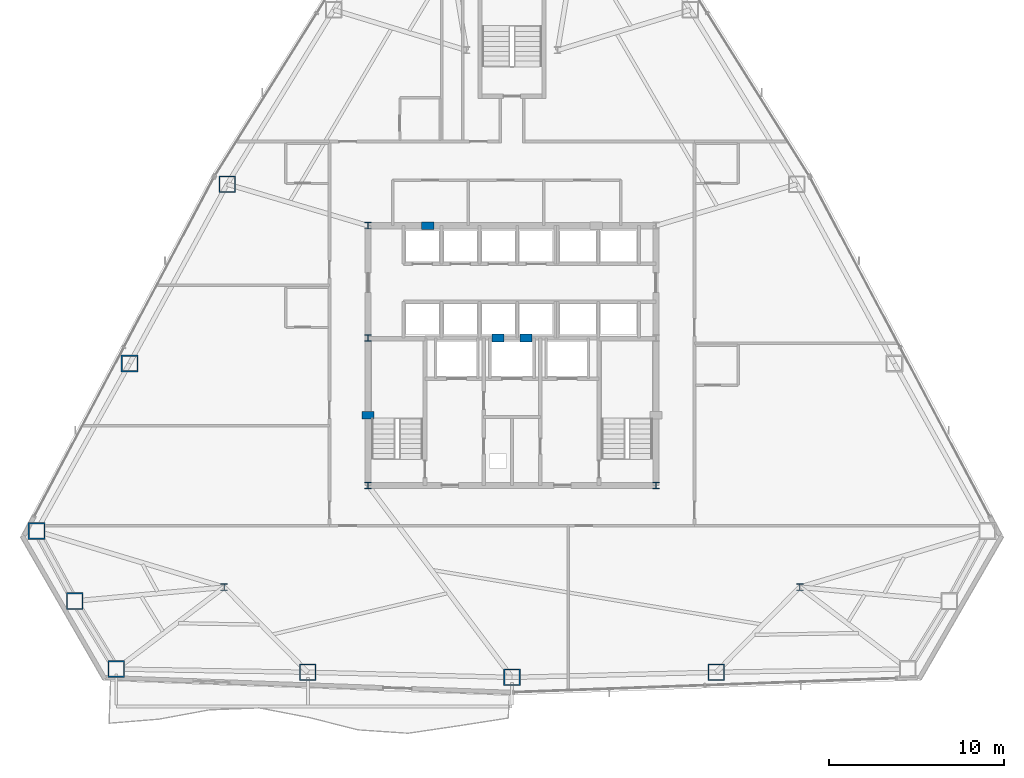
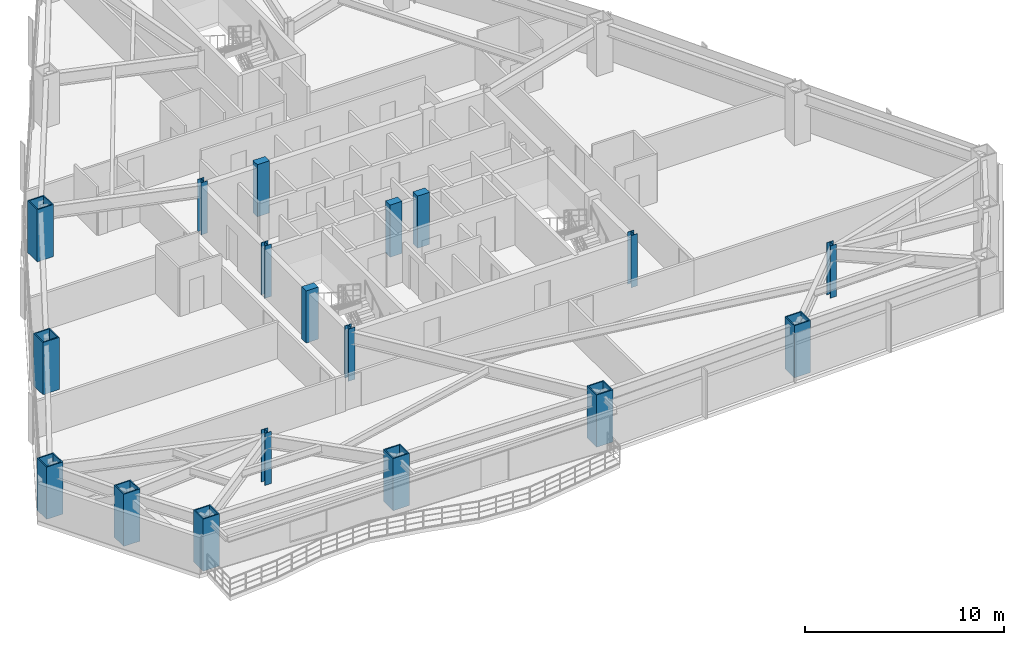
# One storey, part 1 of 13: 18 columns.
"""IFC4 building model written with IfcOpenShell, lengths in metres."""

from ifc_helpers import new_model, si_unit, direction, frame, origin, origin_2d, place, context, subcontext, project, spatial, rectangle, hollow_rectangle, i_section, extrude, material, material_profile, profile_set, type_object, element, save


model = new_model("IFC4")

# Units and contexts
model_context = context("Model", 3, precision=1e-05, world=origin(), true_north=direction((0.0, 1.0)))
body_context = subcontext(model_context, "Body", "Model", "MODEL_VIEW")
ifc_project = project(units=[si_unit("LENGTHUNIT", "METRE"), si_unit("AREAUNIT", "SQUARE_METRE"), si_unit("VOLUMEUNIT", "CUBIC_METRE"), si_unit("PLANEANGLEUNIT", "RADIAN"), si_unit("MASSUNIT", "GRAM", prefix="KILO")], contexts=[model_context])

# Site, building, storey
site_placement = place(None, origin())
site = spatial("IfcSite", under=ifc_project, at=site_placement, CompositionType="ELEMENT")
building_placement = place(site_placement, origin())
building = spatial("IfcBuilding", under=site, at=building_placement, Name="Varakhsha Concourse Tower", CompositionType="ELEMENT")
storey_placement = place(building_placement, frame((0.0, 0.0, 99.0)))
storey = spatial("IfcBuildingStorey", under=building, at=storey_placement, Name="L28", CompositionType="ELEMENT", Elevation=99.0)

# Columns
ifc_material_1 = material(Name="Structural Steel ASTM A992 Grade 50", Category="steel")
ifc_material_profile_1 = material_profile(ifc_material_1, i_section(OverallWidth=0.3740234375, OverallDepth=0.3720703125, WebThickness=0.01611328125, FlangeThickness=0.02587890625, at=origin_2d()), Name="W14X132")
ifc_profile_set_1 = profile_set([ifc_material_profile_1], Name="Structural Steel ASTM A992 Grade 50")
column_type_1 = type_object("IfcColumnType", Name="CL-CORE-W14X132", PredefinedType="COLUMN", material=ifc_profile_set_1)
for number, where, z_axis, x_axis, name in (
    (1, (31.800048828125, 16.39990234375, 0.0), (0.0, 0.0, 1.0), (1.0, 0.0, 0.0), "L28 Core Column CC-SW"),
    (2, (48.199951171875, 16.39990234375, 0.0), (0.0, 0.0, 1.0), (1.0, 0.0, 0.0), "L28 Core Column CC-SE"),
    (3, (31.800048828125, 24.800048828125, 0.0), (0.0, 0.0, 1.0), (1.0, 0.0, 0.0), "L28 Core Column CC-MW"),
    (4, (31.800048828125, 31.199951171875, 0.0), (0.0, 0.0, 1.0), (1.0, 0.0, 0.0), "L28 Core Column CC-NW"),
    (5, (23.60009765625, 10.60009765625, 0.0), (0.0, 0.0, 1.0), (1.0, 0.0, 0.0), "L28 Core Column SS-W"),
    (6, (56.39990234375, 10.60009765625, 0.0), (0.0, 0.0, 1.0), (1.0, 0.0, 0.0), "L28 Core Column SS-E"),
):
    element("IfcColumn", number, at=place(storey_placement, frame(where, z_axis=z_axis, x_axis=x_axis)), inside=storey, type_object=column_type_1, Name=name, PredefinedType="COLUMN", context=body_context, shape_type="SweptSolid", body=[
        extrude(i_section(OverallWidth=0.3740234375, OverallDepth=0.3720703125, WebThickness=0.01611328125, FlangeThickness=0.02587890625, at=origin_2d()), origin(), (0.0, 0.0, 1.0), 3.199951171875),
    ])
ifc_material_2 = material(Name="Concrete fc 65 MPa", Category="concrete")
ifc_material_profile_2 = material_profile(ifc_material_2, rectangle(XDim=0.699951171875, YDim=0.449951171875, at=origin_2d()), Name="RC 700x450")
ifc_profile_set_2 = profile_set([ifc_material_profile_2], Name="Concrete fc 65 MPa")
column_type_2 = type_object("IfcColumnType", Name="CL-PIL-700X450", PredefinedType="PILASTER", material=ifc_profile_set_2)
for number, where, z_axis, x_axis, name in (
    (7, (31.800048828125, 20.39990234375, 0.0), (0.0, 0.0, 1.0), (1.0, 0.0, 0.0), "L28 Core Boundary Pilaster PIL-W1"),
    (8, (35.199951171875, 31.199951171875, 0.0), (0.0, 0.0, 1.0), (1.0, 0.0, 0.0), "L28 Core Boundary Pilaster PIL-N1"),
    (9, (39.199951171875, 24.800048828125, 0.0), (0.0, 0.0, 1.0), (1.0, 0.0, 0.0), "L28 Core Boundary Pilaster PIL-M1"),
    (10, (40.800048828125, 24.800048828125, 0.0), (0.0, 0.0, 1.0), (1.0, 0.0, 0.0), "L28 Core Boundary Pilaster PIL-M2"),
):
    element("IfcColumn", number, at=place(storey_placement, frame(where, z_axis=z_axis, x_axis=x_axis)), inside=storey, type_object=column_type_2, Name=name, PredefinedType="PILASTER", context=body_context, shape_type="SweptSolid", body=[
        extrude(rectangle(XDim=0.699951171875, YDim=0.449951171875, at=origin_2d()), origin(), (0.0, 0.0, 1.0), 3.199951171875),
    ])
ifc_material_3 = material(Name="Structural Steel ASTM A572 Grade 50", Category="steel")
ifc_material_profile_3 = material_profile(ifc_material_3, hollow_rectangle(XDim=0.949951171875, YDim=0.949951171875, WallThickness=0.06494140625, at=origin_2d()), Name="BOX 950x950x65")
ifc_profile_set_3 = profile_set([ifc_material_profile_3], Name="Structural Steel ASTM A572 Grade 50")
column_type_3 = type_object("IfcColumnType", Name="CL-TUBE-950", PredefinedType="COLUMN", material=ifc_profile_set_3)
for number, where, z_axis, x_axis, name in (
    (11, (23.77197265625, 33.569091796875, 0.0), (0.0, 0.0, 1.0), (1.0, 0.0, 0.0), "L28 Framed-Tube Column TC05"),
    (12, (18.20751953125, 23.345947265625, 0.0), (0.0, 0.0, 1.0), (1.0, 0.0, 0.0), "L28 Framed-Tube Column TC06"),
    (13, (12.908935546875, 13.80322265625, 0.0), (0.0, 0.0, 1.0), (1.0, 0.0, 0.0), "L28 Framed-Tube Column TC07"),
    (14, (15.076416015625, 9.810302734375, 0.0), (0.0, 0.0, 1.0), (1.0, 0.0, 0.0), "L28 Framed-Tube Column TC08"),
    (15, (17.45068359375, 5.93701171875, 0.0), (0.0, 0.0, 1.0), (1.0, 0.0, 0.0), "L28 Framed-Tube Column TC09"),
    (16, (28.3642578125, 5.754150390625, 0.0), (0.0, 0.0, 1.0), (1.0, 0.0, 0.0), "L28 Framed-Tube Column TC10"),
    (17, (40.0, 5.46142578125, 0.0), (0.0, 0.0, 1.0), (1.0, 0.0, 0.0), "L28 Framed-Tube Column TC11"),
    (18, (51.6357421875, 5.754150390625, 0.0), (0.0, 0.0, 1.0), (1.0, 0.0, 0.0), "L28 Framed-Tube Column TC12"),
):
    element("IfcColumn", number, at=place(storey_placement, frame(where, z_axis=z_axis, x_axis=x_axis)), inside=storey, type_object=column_type_3, Name=name, PredefinedType="COLUMN", context=body_context, shape_type="SweptSolid", body=[
        extrude(hollow_rectangle(XDim=0.949951171875, YDim=0.949951171875, WallThickness=0.06494140625, at=origin_2d()), origin(), (0.0, 0.0, 1.0), 3.199951171875),
    ])

save(model, "model.ifc")
